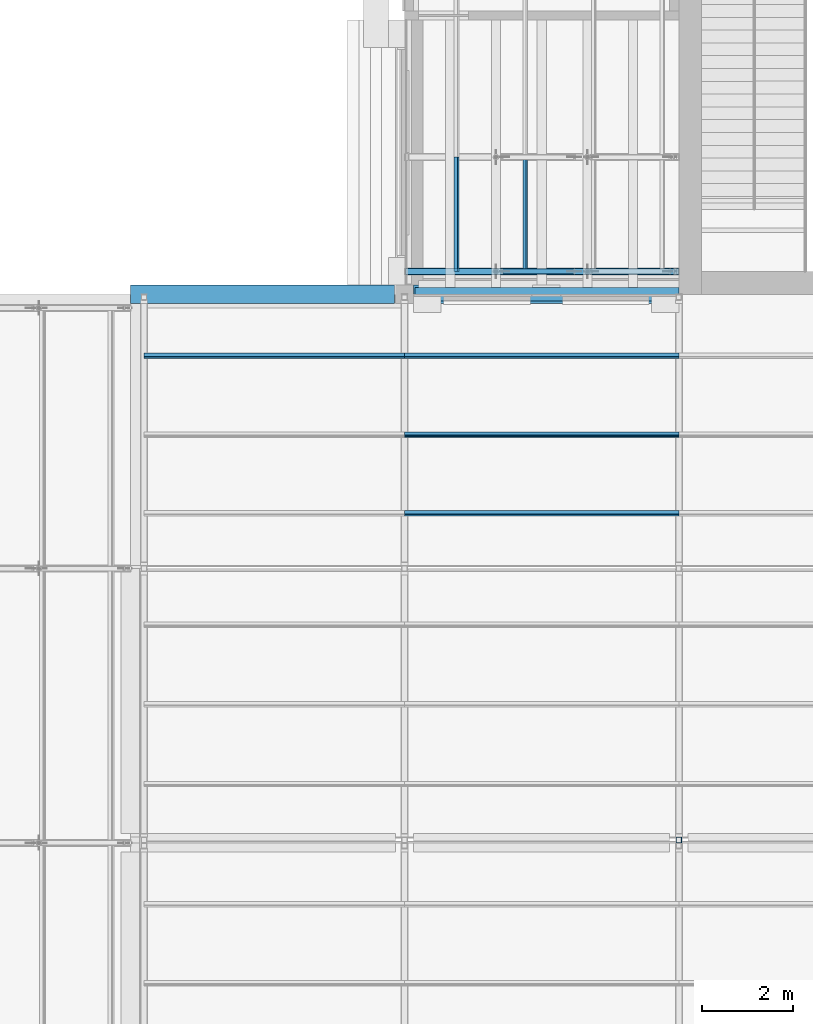
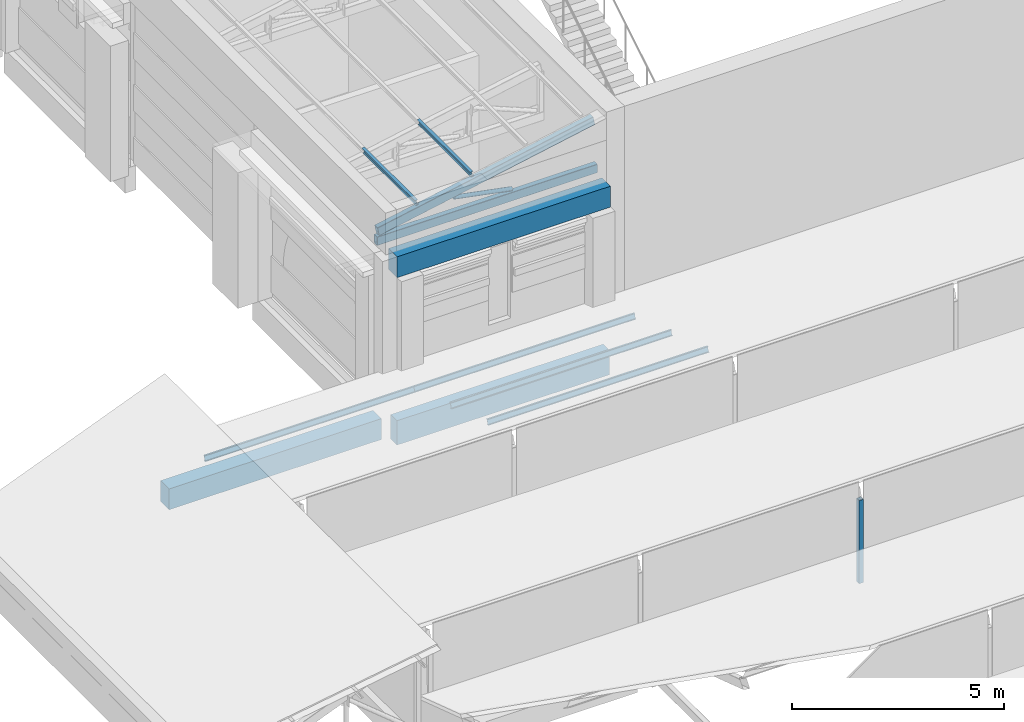
# One storey, part 13 of 118: 10 members, 3 beams.
"""IFC4 building model written with IfcOpenShell, lengths in metres."""

from ifc_helpers import new_model, si_unit, direction, frame, origin, origin_2d, place, context, subcontext, project, spatial, rectangle, hollow_rectangle, hollow_circle, i_section, extrude, material, material_profile, profile_set, type_object, element, save


model = new_model("IFC4")

# Units and contexts
model_context = context("Model", 3, precision=1e-05, world=origin(), true_north=direction((0.0, 1.0)))
body_context = subcontext(model_context, "Body", "Model", "MODEL_VIEW")
ifc_project = project(units=[si_unit("LENGTHUNIT", "METRE"), si_unit("AREAUNIT", "SQUARE_METRE"), si_unit("VOLUMEUNIT", "CUBIC_METRE"), si_unit("PLANEANGLEUNIT", "RADIAN"), si_unit("MASSUNIT", "GRAM", prefix="KILO")], contexts=[model_context])

# Site, building, storey
site_placement = place(None, origin())
site = spatial("IfcSite", under=ifc_project, at=site_placement, CompositionType="ELEMENT")
building_placement = place(site_placement, origin())
building = spatial("IfcBuilding", under=site, at=building_placement, Name="Saffron Lane Theatres", CompositionType="ELEMENT")
storey_placement = place(building_placement, frame((0.0, 0.0, 16.5)))
storey = spatial("IfcBuildingStorey", under=building, at=storey_placement, Name="L03", CompositionType="ELEMENT", Elevation=16.5)

# Beams
ifc_material_1 = material(Name="Concrete N40 (40 MPa)", Category="concrete")
ifc_material_profile_1 = material_profile(ifc_material_1, rectangle(XDim=0.300048828125, YDim=0.699951171875, at=origin_2d()))
ifc_profile_set_1 = profile_set([ifc_material_profile_1], Name="Concrete N40 (40 MPa)")
beam_type_1 = type_object("IfcBeamType", Name="RC-BEAM 300x700", PredefinedType="BEAM", material=ifc_profile_set_1)
beam_1_placement = place(storey_placement, frame((12.22509765625, 30.0, -0.60009765625), z_axis=(1.0, 0.0, 0.0), x_axis=(0.0, 1.0, 0.0)))
element("IfcBeam", 1, at=beam_1_placement, inside=storey, type_object=beam_type_1, Name="beam-L03-x300-122", PredefinedType="BEAM", context=body_context, shape_type="SweptSolid", body=[
    extrude(rectangle(XDim=0.300048828125, YDim=0.699951171875, at=origin_2d()), origin(), (0.0, 0.0, 1.0), 5.77490234375),
])
ifc_material_2 = material(Name="Concrete N40 (40 MPa)", Category="concrete")
ifc_material_profile_2 = material_profile(ifc_material_2, rectangle(XDim=0.39990234375, YDim=0.60009765625, at=origin_2d()))
ifc_profile_set_2 = profile_set([ifc_material_profile_2], Name="Concrete N40 (40 MPa)")
beam_type_2 = type_object("IfcBeamType", Name="RC-BEAM 400x600", PredefinedType="BEAM", material=ifc_profile_set_2)
beam_2_placement = place(storey_placement, frame((6.0, 30.0, -0.300048828125), z_axis=(1.0, 0.0, 0.0), x_axis=(0.0, 1.0, 0.0)))
element("IfcBeam", 2, at=beam_2_placement, inside=storey, type_object=beam_type_2, Name="beam-eaves-x300-360", PredefinedType="BEAM", context=body_context, shape_type="SweptSolid", body=[
    extrude(rectangle(XDim=0.39990234375, YDim=0.60009765625, at=origin_2d()), origin(), (0.0, 0.0, 1.0), 5.77490234375),
])
beam_3_placement = place(storey_placement, frame((12.199951171875, 30.0, 4.199951171875), z_axis=(1.0, 0.0, 0.0), x_axis=(0.0, 1.0, 0.0)))
element("IfcBeam", 3, at=beam_3_placement, inside=storey, type_object=beam_type_2, Name="beam-roof-side-x300-13", PredefinedType="BEAM", context=body_context, shape_type="SweptSolid", body=[
    extrude(rectangle(XDim=0.39990234375, YDim=0.60009765625, at=origin_2d()), origin(), (0.0, 0.0, 1.0), 5.800048828125),
])

# Members
ifc_material_3 = material(Name="Steel Grade 350", Category="steel")
ifc_material_profile_3 = material_profile(ifc_material_3, hollow_rectangle(XDim=0.125, YDim=0.125, WallThickness=0.006103515625, InnerFilletRadius=0.0029296875, OuterFilletRadius=0.009033203125, at=origin_2d()))
ifc_profile_set_3 = profile_set([ifc_material_profile_3], Name="Steel Grade 350")
member_type_1 = type_object("IfcMemberType", Name="ST-STUDIO POST 125x125x6 SHS", PredefinedType="POST", material=ifc_profile_set_3)
member_1_placement = place(storey_placement, frame((18.0, 18.0625, 0.25), z_axis=(0.0, 0.0, 1.0), x_axis=(1.0, 0.0, 0.0)))
element("IfcMember", 4, at=member_1_placement, inside=storey, type_object=member_type_1, Name="GSP14", PredefinedType="POST", context=body_context, shape_type="SweptSolid", body=[
    extrude(hollow_rectangle(XDim=0.125, YDim=0.125, WallThickness=0.006103515625, InnerFilletRadius=0.0029296875, OuterFilletRadius=0.009033203125, at=origin_2d()), origin(), (0.0, 0.0, 1.0), 2.388671875),
])
ifc_material_4 = material(Name="Steel Grade 350", Category="steel")
ifc_material_profile_4 = material_profile(ifc_material_4, i_section(OverallWidth=0.074951171875, OverallDepth=0.155029296875, WebThickness=0.006103515625, FlangeThickness=0.009521484375, FilletRadius=0.008056640625, at=origin_2d()))
ifc_profile_set_4 = profile_set([ifc_material_profile_4], Name="Steel Grade 350")
member_type_2 = type_object("IfcMemberType", Name="ST-STUDIO PURLIN 150UB18.0", PredefinedType="PURLIN", material=ifc_profile_set_4)
for number, where, z_axis, x_axis, name in (
    (5, (12.0, 25.2099609375, 2.60498046875), (1.0, 0.0, 0.0), (0.0, 0.949628648787, -0.313377455162), "GSU53"),
    (6, (12.0, 26.93115234375, 2.036865234375), (1.0, 0.0, 0.0), (0.0, 0.949628648787, -0.313377455162), "GSU58"),
):
    element("IfcMember", number, at=place(storey_placement, frame(where, z_axis=z_axis, x_axis=x_axis)), inside=storey, type_object=member_type_2, Name=name, PredefinedType="PURLIN", context=body_context, shape_type="SweptSolid", body=[
        extrude(i_section(OverallWidth=0.074951171875, OverallDepth=0.155029296875, WebThickness=0.006103515625, FlangeThickness=0.009521484375, FilletRadius=0.008056640625, at=origin_2d()), origin(), (0.0, 0.0, 1.0), 6.0),
    ])
member_2_placement = place(storey_placement, frame((6.300048828125, 28.652587890625, 1.468994140625), z_axis=(1.0, 0.0, 0.0), x_axis=(0.0, 0.949628648787, -0.313377455162)))
element("IfcMember", 7, at=member_2_placement, inside=storey, type_object=member_type_2, Name="GSU62", PredefinedType="PURLIN", context=body_context, shape_type="SweptSolid", body=[
    extrude(i_section(OverallWidth=0.074951171875, OverallDepth=0.155029296875, WebThickness=0.006103515625, FlangeThickness=0.009521484375, FilletRadius=0.008056640625, at=origin_2d()), origin(), (0.0, 0.0, 1.0), 5.699951171875),
])
member_3_placement = place(storey_placement, frame((12.0, 28.652587890625, 1.468994140625), z_axis=(1.0, 0.0, 0.0), x_axis=(0.0, 0.949628648787, -0.313377455162)))
element("IfcMember", 8, at=member_3_placement, inside=storey, type_object=member_type_2, Name="GSU63", PredefinedType="PURLIN", context=body_context, shape_type="SweptSolid", body=[
    extrude(i_section(OverallWidth=0.074951171875, OverallDepth=0.155029296875, WebThickness=0.006103515625, FlangeThickness=0.009521484375, FilletRadius=0.008056640625, at=origin_2d()), origin(), (0.0, 0.0, 1.0), 6.0),
])
for number, where, z_axis, x_axis, name in (
    (9, (13.137451171875, 30.5, 5.304443359375), (0.0, 1.0, 0.0), (-0.981660567439, 0.0, -0.190637169344), "SB3-U43"),
    (10, (14.637451171875, 30.5, 5.595947265625), (0.0, 1.0, 0.0), (-0.981660567439, 0.0, -0.190637169344), "SB3-U48"),
):
    element("IfcMember", number, at=place(storey_placement, frame(where, z_axis=z_axis, x_axis=x_axis)), inside=storey, type_object=member_type_2, Name=name, PredefinedType="PURLIN", context=body_context, shape_type="SweptSolid", body=[
        extrude(i_section(OverallWidth=0.074951171875, OverallDepth=0.155029296875, WebThickness=0.006103515625, FlangeThickness=0.009521484375, FilletRadius=0.008056640625, at=origin_2d()), origin(), (0.0, 0.0, 1.0), 2.5),
    ])
ifc_material_5 = material(Name="Steel Grade 350", Category="steel")
ifc_material_profile_5 = material_profile(ifc_material_5, hollow_rectangle(XDim=0.14990234375, YDim=0.25, WallThickness=0.009033203125, InnerFilletRadius=0.00439453125, OuterFilletRadius=0.013427734375, at=origin_2d()))
ifc_profile_set_5 = profile_set([ifc_material_profile_5], Name="Steel Grade 350")
member_type_3 = type_object("IfcMemberType", Name="ST-STUDIO TRUSS CHORD 250x150x9 RHS", PredefinedType="CHORD", material=ifc_profile_set_5)
member_4_placement = place(storey_placement, frame((12.02001953125, 30.5, 4.625), z_axis=(1.0, 0.0, 0.0), x_axis=(0.0, 1.0, 0.0)))
element("IfcMember", 11, at=member_4_placement, inside=storey, type_object=member_type_3, Name="SB3-T1", PredefinedType="CHORD", context=body_context, shape_type="SweptSolid", body=[
    extrude(hollow_rectangle(XDim=0.14990234375, YDim=0.25, WallThickness=0.009033203125, InnerFilletRadius=0.00439453125, OuterFilletRadius=0.013427734375, at=origin_2d()), origin(), (0.0, 0.0, 1.0), 5.97998046875),
])
member_5_placement = place(storey_placement, frame((12.0537109375, 30.5, 4.8876953125), z_axis=(0.981654109324, 0.0, 0.190670421534), x_axis=(0.0, 1.0, 0.0)))
element("IfcMember", 12, at=member_5_placement, inside=storey, type_object=member_type_3, Name="SB3-C2", PredefinedType="CHORD", context=body_context, shape_type="SweptSolid", body=[
    extrude(hollow_rectangle(XDim=0.14990234375, YDim=0.25, WallThickness=0.009033203125, InnerFilletRadius=0.00439453125, OuterFilletRadius=0.013427734375, at=origin_2d()), origin(), (0.0, 0.0, 1.0), 5.969482421875),
])
ifc_material_6 = material(Name="Steel Grade 350", Category="steel")
ifc_material_profile_6 = material_profile(ifc_material_6, hollow_circle(Radius=0.05712890625, WallThickness=0.006103515625, at=origin_2d()))
ifc_profile_set_6 = profile_set([ifc_material_profile_6], Name="Steel Grade 350")
member_type_4 = type_object("IfcMemberType", Name="ST-STUDIO TRUSS WEB 114.3x6.0 CHS", PredefinedType="BRACE", material=ifc_profile_set_6)
member_6_placement = place(storey_placement, frame((15.711181640625, 30.5, 4.80615234375), z_axis=(-0.981678802594, 0.0, 0.190543245845), x_axis=(0.0, -1.0, 0.0)))
element("IfcMember", 13, at=member_6_placement, inside=storey, type_object=member_type_4, Name="SB3-W7", PredefinedType="BRACE", context=body_context, shape_type="SweptSolid", body=[
    extrude(hollow_circle(Radius=0.05712890625, WallThickness=0.006103515625, at=origin_2d()), origin(), (0.0, 0.0, 1.0), 1.6015625),
])

save(model, "model.ifc")
